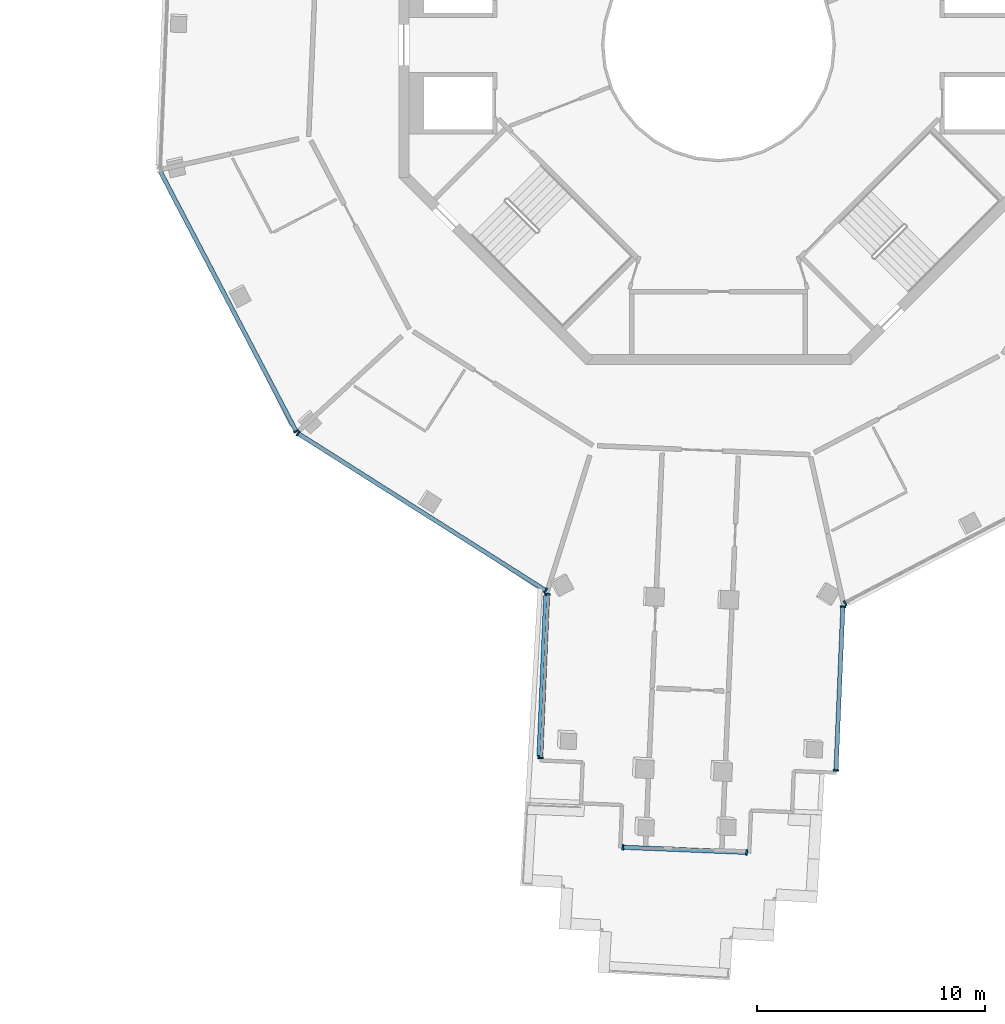
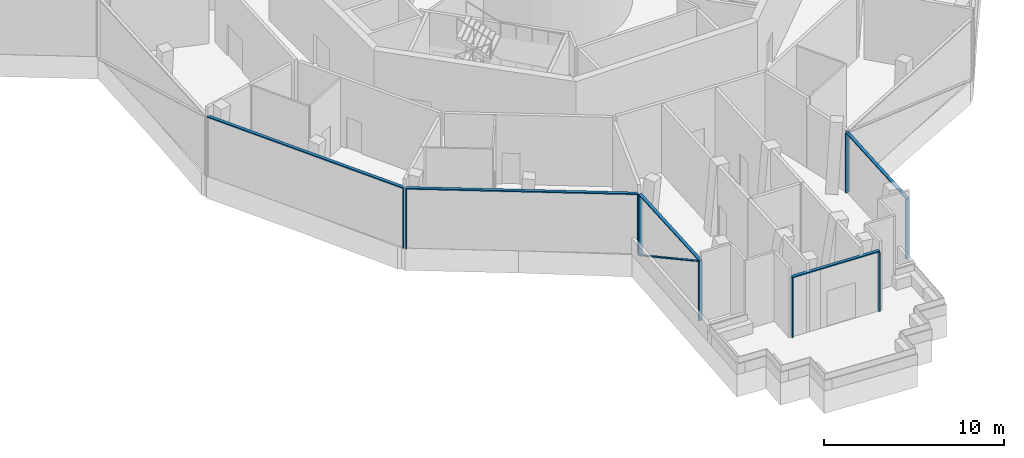
# One storey, part 2 of 21: 16 members, 6 elements without a shape of their own.
"""IFC4 building model written with IfcOpenShell, lengths in metres."""

from ifc_helpers import new_model, si_unit, direction, frame, origin, origin_2d, place, context, subcontext, project, spatial, rectangle, extrude, material, layer, layer_set, material_profile, profile_set, type_object, element, aggregate, save


model = new_model("IFC4")

# Units and contexts
model_context = context("Model", 3, precision=1e-05, world=origin(), true_north=direction((0.0, 1.0)))
body_context = subcontext(model_context, "Body", "Model", "MODEL_VIEW")
ifc_project = project(units=[si_unit("LENGTHUNIT", "METRE"), si_unit("AREAUNIT", "SQUARE_METRE"), si_unit("VOLUMEUNIT", "CUBIC_METRE"), si_unit("PLANEANGLEUNIT", "RADIAN"), si_unit("MASSUNIT", "GRAM", prefix="KILO")], contexts=[model_context])

# Site, building, storey
site_placement = place(None, origin())
site = spatial("IfcSite", under=ifc_project, at=site_placement, CompositionType="ELEMENT")
building_placement = place(site_placement, origin())
building = spatial("IfcBuilding", under=site, at=building_placement, Name="Verdalira Terraces Hotel", CompositionType="ELEMENT")
storey_placement = place(building_placement, frame((0.0, 0.0, 269.0)))
storey = spatial("IfcBuildingStorey", under=building, at=storey_placement, Name="L66", CompositionType="ELEMENT", Elevation=269.0)

# Curtain wall, member
ifc_material_1 = material(Name="Clear glass", Category="glass")
ifc_layer = layer(ifc_material_1, 0.239990234375)
ifc_layer_set = layer_set([ifc_layer], Name="CW5 curtain wall")
curtain_wall_type = type_object("IfcCurtainWallType", Name="CW5 curtain wall", PredefinedType="NOTDEFINED", material=ifc_layer_set)
curtain_wall_1_placement = place(storey_placement, origin())
curtain_wall_1 = element("IfcCurtainWall", 1, at=curtain_wall_1_placement, inside=storey, type_object=curtain_wall_type, Name="CW5 curtain wall L66 edge 12", PredefinedType="NOTDEFINED")
ifc_material_2 = material(Name="Terracotta frame", Category="masonry")
ifc_material_profile_1 = material_profile(ifc_material_2, rectangle(XDim=0.070068, YDim=0.23999, at=origin_2d()), Name="MU 70x240")
ifc_profile_set_1 = profile_set([ifc_material_profile_1], Name="Terracotta frame")
member_type_1 = type_object("IfcMemberType", Name="CW5 mullion 70x240", PredefinedType="MULLION", material=ifc_profile_set_1)
member_1_placement = place(storey_placement, frame((-18.494629, -16.918457, 0.0), z_axis=(0.0, 0.0, 1.0), x_axis=(0.463296035, -0.886203579, 0.0)))
member_1 = element("IfcMember", 2, at=member_1_placement, type_object=member_type_1, Name="CW5 mullion", PredefinedType="MULLION", context=body_context, shape_type="SweptSolid", body=[
    extrude(rectangle(XDim=0.070068, YDim=0.23999, at=origin_2d()), origin(), (0.0, 0.0, 1.0), 4.014893),
])

# Curtain wall, members
curtain_wall_2_placement = place(storey_placement, origin())
curtain_wall_2 = element("IfcCurtainWall", 3, at=curtain_wall_2_placement, inside=storey, type_object=curtain_wall_type, Name="CW5 curtain wall L66 edge 13", PredefinedType="NOTDEFINED")
member_2_placement = place(storey_placement, frame((-18.406738, -17.01416, 0.0), z_axis=(0.0, 0.0, 1.0), x_axis=(0.844327926, -0.535826795, 0.0)))
member_2 = element("IfcMember", 4, at=member_2_placement, type_object=member_type_1, Name="CW5 mullion", PredefinedType="MULLION", context=body_context, shape_type="SweptSolid", body=[
    extrude(rectangle(XDim=0.070068, YDim=0.23999, at=origin_2d()), origin(), (0.0, 0.0, 1.0), 4.014893),
])
member_3_placement = place(storey_placement, frame((-7.567383, -23.892822, 0.0), z_axis=(0.0, 0.0, 1.0), x_axis=(0.844327926, -0.535826795, 0.0)))
member_3 = element("IfcMember", 5, at=member_3_placement, type_object=member_type_1, Name="CW5 mullion", PredefinedType="MULLION", context=body_context, shape_type="SweptSolid", body=[
    extrude(rectangle(XDim=0.070068, YDim=0.23999, at=origin_2d()), origin(), (0.0, 0.0, 1.0), 4.014893),
])

curtain_wall_3_placement = place(storey_placement, origin())
curtain_wall_3 = element("IfcCurtainWall", 6, at=curtain_wall_3_placement, inside=storey, type_object=curtain_wall_type, Name="CW5 curtain wall L66 edge 14", PredefinedType="NOTDEFINED")
member_4_placement = place(storey_placement, frame((-7.483887, -24.052979, 0.0), z_axis=(0.0, 0.0, 1.0), x_axis=(-0.041875654, -0.99912283, 0.0)))
member_4 = element("IfcMember", 7, at=member_4_placement, type_object=member_type_1, Name="CW5 mullion", PredefinedType="MULLION", context=body_context, shape_type="SweptSolid", body=[
    extrude(rectangle(XDim=0.070068, YDim=0.23999, at=origin_2d()), origin(), (0.0, 0.0, 1.0), 4.014893),
])
member_5_placement = place(storey_placement, frame((-7.78418, -31.22168, 0.0), z_axis=(0.0, 0.0, 1.0), x_axis=(-0.041875654, -0.99912283, 0.0)))
member_5 = element("IfcMember", 8, at=member_5_placement, type_object=member_type_1, Name="CW5 mullion", PredefinedType="MULLION", context=body_context, shape_type="SweptSolid", body=[
    extrude(rectangle(XDim=0.070068, YDim=0.23999, at=origin_2d()), origin(), (0.0, 0.0, 1.0), 4.014893),
])

curtain_wall_4_placement = place(storey_placement, origin())
curtain_wall_4 = element("IfcCurtainWall", 9, at=curtain_wall_4_placement, inside=storey, type_object=curtain_wall_type, Name="CW5 curtain wall L66 edge 19", PredefinedType="NOTDEFINED")
member_6_placement = place(storey_placement, frame((-4.189697, -35.130859, 0.0), z_axis=(0.0, 0.0, 1.0), x_axis=(0.99912283, -0.041875654, 0.0)))
member_6 = element("IfcMember", 10, at=member_6_placement, type_object=member_type_1, Name="CW5 mullion", PredefinedType="MULLION", context=body_context, shape_type="SweptSolid", body=[
    extrude(rectangle(XDim=0.070068, YDim=0.23999, at=origin_2d()), origin(), (0.0, 0.0, 1.0), 4.014893),
])
member_7_placement = place(storey_placement, frame((1.235352, -35.358154, 0.0), z_axis=(0.0, 0.0, 1.0), x_axis=(0.99912283, -0.041875654, 0.0)))
member_7 = element("IfcMember", 11, at=member_7_placement, type_object=member_type_1, Name="CW5 mullion", PredefinedType="MULLION", context=body_context, shape_type="SweptSolid", body=[
    extrude(rectangle(XDim=0.070068, YDim=0.23999, at=origin_2d()), origin(), (0.0, 0.0, 1.0), 4.014893),
])

curtain_wall_5_placement = place(storey_placement, origin())
curtain_wall_5 = element("IfcCurtainWall", 12, at=curtain_wall_5_placement, inside=storey, type_object=curtain_wall_type, Name="CW5 curtain wall L66 edge 24", PredefinedType="NOTDEFINED")
member_8_placement = place(storey_placement, frame((5.144287, -31.763672, 0.0), z_axis=(0.0, 0.0, 1.0), x_axis=(0.041875654, 0.99912283, 0.0)))
member_8 = element("IfcMember", 13, at=member_8_placement, type_object=member_type_1, Name="CW5 mullion", PredefinedType="MULLION", context=body_context, shape_type="SweptSolid", body=[
    extrude(rectangle(XDim=0.070068, YDim=0.23999, at=origin_2d()), origin(), (0.0, 0.0, 1.0), 4.014893),
])
member_9_placement = place(storey_placement, frame((5.444824, -24.594971, 0.0), z_axis=(0.0, 0.0, 1.0), x_axis=(0.041875654, 0.99912283, 0.0)))
member_9 = element("IfcMember", 14, at=member_9_placement, type_object=member_type_1, Name="CW5 mullion", PredefinedType="MULLION", context=body_context, shape_type="SweptSolid", body=[
    extrude(rectangle(XDim=0.070068, YDim=0.23999, at=origin_2d()), origin(), (0.0, 0.0, 1.0), 4.014893),
])

# Curtain wall, member
curtain_wall_6_placement = place(storey_placement, origin())
curtain_wall_6 = element("IfcCurtainWall", 15, at=curtain_wall_6_placement, inside=storey, type_object=curtain_wall_type, Name="CW5 curtain wall L66 edge 25", PredefinedType="NOTDEFINED")
member_10_placement = place(storey_placement, frame((5.541748, -24.442383, 0.0), z_axis=(0.0, 0.0, 1.0), x_axis=(0.886203579, 0.463296035, 0.0)))
member_10 = element("IfcMember", 16, at=member_10_placement, type_object=member_type_1, Name="CW5 mullion", PredefinedType="MULLION", context=body_context, shape_type="SweptSolid", body=[
    extrude(rectangle(XDim=0.070068, YDim=0.23999, at=origin_2d()), origin(), (0.0, 0.0, 1.0), 4.014893),
])
aggregate(curtain_wall_6, [member_10])

# Member
ifc_material_3 = material(Name="Terracotta frame", Category="masonry")
ifc_material_profile_2 = material_profile(ifc_material_3, rectangle(XDim=0.189941, YDim=0.074951, at=origin_2d()), Name="TR 75x190")
ifc_profile_set_2 = profile_set([ifc_material_profile_2], Name="Terracotta frame")
member_type_2 = type_object("IfcMemberType", Name="CW5 transom 75x190", PredefinedType="USERDEFINED", material=ifc_profile_set_2)
member_11_placement = place(storey_placement, frame((-24.464111, -5.500244, 4.05249), z_axis=(0.463293674, -0.886204814, 0.0), x_axis=(0.886204814, 0.463293674, 0.0)))
member_11 = element("IfcMember", 17, at=member_11_placement, type_object=member_type_2, Name="CW5 transom", ObjectType="TRANSOM", PredefinedType="USERDEFINED", context=body_context, shape_type="SweptSolid", body=[
    extrude(rectangle(XDim=0.189941, YDim=0.074951, at=origin_2d()), origin(), (0.0, 0.0, 1.0), 12.919678),
])

aggregate(curtain_wall_1, [member_1, member_11])

member_12_placement = place(storey_placement, frame((-18.436279, -16.995361, 4.05249), z_axis=(0.844331395, -0.535821328, 0.0), x_axis=(0.535821328, 0.844331395, 0.0)))
member_12 = element("IfcMember", 18, at=member_12_placement, type_object=member_type_2, Name="CW5 transom", ObjectType="TRANSOM", PredefinedType="USERDEFINED", context=body_context, shape_type="SweptSolid", body=[
    extrude(rectangle(XDim=0.189941, YDim=0.074951, at=origin_2d()), origin(), (0.0, 0.0, 1.0), 12.907715),
])

aggregate(curtain_wall_2, [member_2, member_3, member_12])

member_13_placement = place(storey_placement, frame((-7.482422, -24.018066, 4.05249), z_axis=(-0.041852, -0.999123821, 0.0), x_axis=(0.999123821, -0.041852, 0.0)))
member_13 = element("IfcMember", 19, at=member_13_placement, type_object=member_type_2, Name="CW5 transom", ObjectType="TRANSOM", PredefinedType="USERDEFINED", context=body_context, shape_type="SweptSolid", body=[
    extrude(rectangle(XDim=0.189941, YDim=0.074951, at=origin_2d()), origin(), (0.0, 0.0, 1.0), 7.245117),
])

member_14_placement = place(storey_placement, frame((-4.224854, -35.129395, 4.05249), z_axis=(0.999123585, -0.041857637, 0.0), x_axis=(0.041857637, 0.999123585, 0.0)))
member_14 = element("IfcMember", 20, at=member_14_placement, type_object=member_type_2, Name="CW5 transom", ObjectType="TRANSOM", PredefinedType="USERDEFINED", context=body_context, shape_type="SweptSolid", body=[
    extrude(rectangle(XDim=0.189941, YDim=0.074951, at=origin_2d()), origin(), (0.0, 0.0, 1.0), 5.500244),
])

aggregate(curtain_wall_4, [member_6, member_7, member_14])

member_15_placement = place(storey_placement, frame((5.142822, -31.798584, 4.05249), z_axis=(0.041885638, 0.999122412, 0.0), x_axis=(-0.999122412, 0.041885638, 0.0)))
member_15 = element("IfcMember", 21, at=member_15_placement, type_object=member_type_2, Name="CW5 transom", ObjectType="TRANSOM", PredefinedType="USERDEFINED", context=body_context, shape_type="SweptSolid", body=[
    extrude(rectangle(XDim=0.189941, YDim=0.074951, at=origin_2d()), origin(), (0.0, 0.0, 1.0), 7.245117),
])

aggregate(curtain_wall_5, [member_8, member_9, member_15])

ifc_material_4 = material(Name="Terracotta frame", Category="masonry")
ifc_material_profile_3 = material_profile(ifc_material_4, rectangle(XDim=0.149902, YDim=0.060059, at=origin_2d()), Name="GB 60x150")
ifc_profile_set_3 = profile_set([ifc_material_profile_3], Name="Terracotta frame")
member_type_3 = type_object("IfcMemberType", Name="Diagonal glazing bar 60x150", PredefinedType="USERDEFINED", material=ifc_profile_set_3)
member_16_placement = place(storey_placement, frame((-7.584229, -24.131836, 0.0271), z_axis=(-0.03645099, -0.86985041, 0.491967062), x_axis=(0.999123145, -0.04186815, 0.0)))
member_16 = element("IfcMember", 22, at=member_16_placement, type_object=member_type_3, Name="Diagonal glazing bar", ObjectType="GLAZING BAR", PredefinedType="USERDEFINED", context=body_context, shape_type="SweptSolid", body=[
    extrude(rectangle(XDim=0.149902, YDim=0.060059, at=origin_2d()), origin(), (0.0, 0.0, 1.0), 8.050781),
])

aggregate(curtain_wall_3, [member_4, member_5, member_13, member_16])

save(model, "model.ifc")
